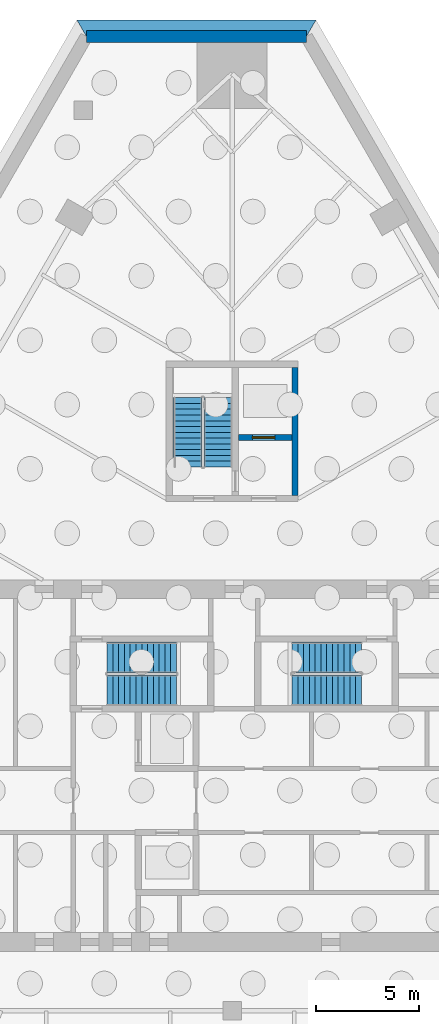
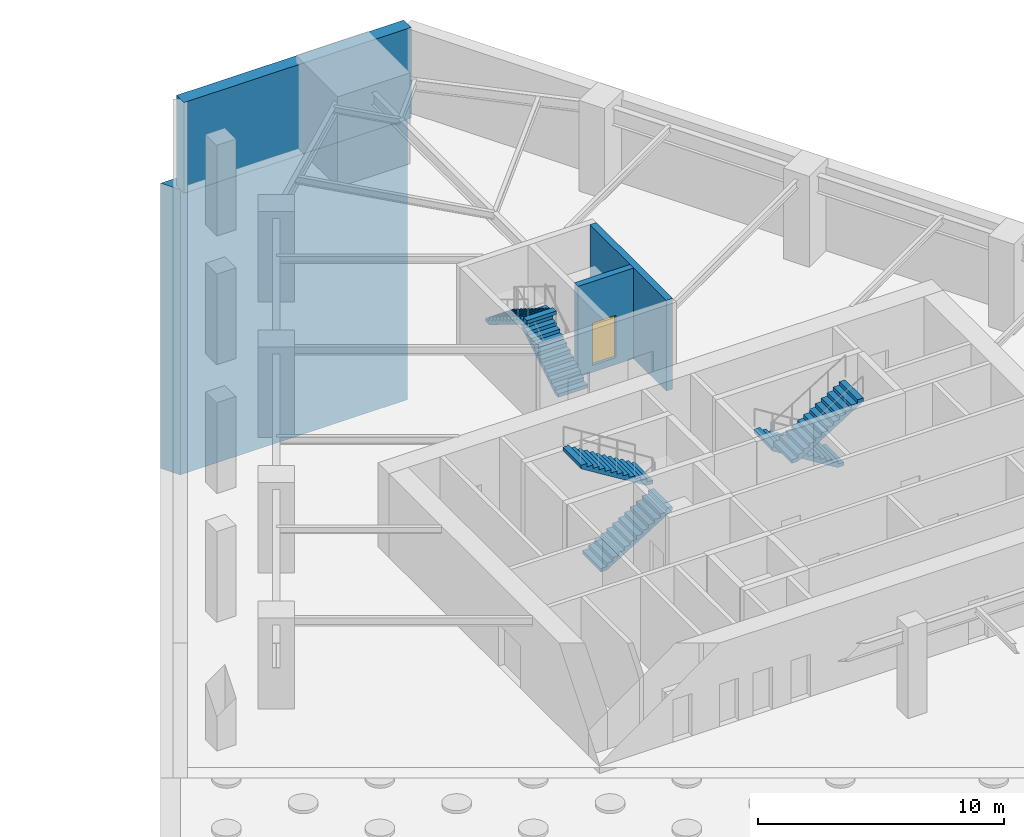
# One storey, part 6 of 8: 6 stair flights, 4 walls, 1 door, 1 opening, 3 elements without a shape of their own.
"""IFC4 building model written with IfcOpenShell, lengths in metres."""

import ifcopenshell
import ifcopenshell.guid

model = None  # the IFC model being written
_history = None  # IfcOwnerHistory: only IFC2X3 demands one
_inside = {}  # id of a spatial element -> (the spatial element, [elements in it])
_under = {}  # id of a project, library or spatial element -> (it, [spatial elements below it])
_declared = {}  # id of a project -> (the project, [libraries it declares])
_typed = {}  # id of a type object -> (the type object, [elements of that type])
_made_of = {}  # id of a material, layer set ... -> (it, [elements and type objects made of it])


def new_model(schema):
    """Start an empty IFC model of exactly this schema.

    Asked for "IFC4X3", IfcOpenShell would pick the latest addendum, in which some entities
    have other attributes; the version numbers below select the first issue.
    IFC2X3 requires an IfcOwnerHistory on every rooted entity: one is made here for all.
    """
    global model, _history
    if schema == "IFC4X3":
        model = ifcopenshell.file(schema_version=(4, 3, 0, 0))
    else:
        model = ifcopenshell.file(schema=schema)
    _inside.clear()
    _under.clear()
    _declared.clear()
    _typed.clear()
    _made_of.clear()
    _history = None
    if model.schema == "IFC2X3":
        org = make("IfcOrganization", Name="unknown")
        user = make(
            "IfcPersonAndOrganization",
            ThePerson=make("IfcPerson", FamilyName="unknown"),
            TheOrganization=org,
        )
        app = make(
            "IfcApplication",
            ApplicationDeveloper=org,
            Version="unknown",
            ApplicationFullName="unknown",
            ApplicationIdentifier="unknown",
        )
        _history = make(
            "IfcOwnerHistory",
            OwningUser=user,
            OwningApplication=app,
            ChangeAction="ADDED",
            CreationDate=0,
        )
    return model


def make(cls, **values):
    """One entity of the class cls with the attributes given. An attribute that is None is left unset."""
    return model.create_entity(
        cls, **{name: value for name, value in values.items() if value is not None}
    )


def rooted(cls, **values):
    """An entity with a GlobalId (a new one), such as an element, a storey or a relation."""
    return make(cls, GlobalId=ifcopenshell.guid.new(), OwnerHistory=_history, **values)


def si_unit(unit_type, name, prefix=None):
    """IfcSIUnit, for example si_unit("LENGTHUNIT", "METRE", prefix="MILLI")."""
    return make("IfcSIUnit", UnitType=unit_type, Prefix=prefix, Name=name)


def assignment(units):
    """IfcUnitAssignment: the units of a project."""
    return None if units is None else make("IfcUnitAssignment", Units=units)


def point(xyz):
    """IfcCartesianPoint."""
    return None if xyz is None else make("IfcCartesianPoint", Coordinates=xyz)


def direction(xyz):
    """IfcDirection."""
    return None if xyz is None else make("IfcDirection", DirectionRatios=xyz)


def frame(location, z_axis=None, x_axis=None):
    """IfcAxis2Placement3D, a coordinate frame: its origin and axes. An axis left out is left unset."""
    return make(
        "IfcAxis2Placement3D",
        Location=point(location),
        Axis=direction(z_axis),
        RefDirection=direction(x_axis),
    )


def frame_2d(location, x_axis=None):
    """IfcAxis2Placement2D, a coordinate frame in the plane: its origin and x axis."""
    return make(
        "IfcAxis2Placement2D", Location=point(location), RefDirection=direction(x_axis)
    )


def origin():
    """The frame at (0, 0, 0) with its axes left unset."""
    return frame((0.0, 0.0, 0.0))


def place(relative_to, where):
    """IfcLocalPlacement: puts the frame where relative to a parent placement (None: the world)."""
    return make(
        "IfcLocalPlacement", PlacementRelTo=relative_to, RelativePlacement=where
    )


def context(
    kind, dimensions, precision=None, world=None, true_north=None, identifier=None
):
    """IfcGeometricRepresentationContext, for example the 3D "Model" context."""
    return make(
        "IfcGeometricRepresentationContext",
        ContextIdentifier=identifier,
        ContextType=kind,
        CoordinateSpaceDimension=dimensions,
        Precision=precision,
        WorldCoordinateSystem=world,
        TrueNorth=true_north,
    )


def subcontext(parent, identifier, kind, view, scale=None):
    """IfcGeometricRepresentationSubContext, for example "Body" below "Model"."""
    return make(
        "IfcGeometricRepresentationSubContext",
        ContextIdentifier=identifier,
        ContextType=kind,
        ParentContext=parent,
        TargetScale=scale,
        TargetView=view,
    )


def project(units=None, contexts=None):
    """IfcProject with its units and contexts."""
    return rooted(
        "IfcProject",
        Name="project",
        RepresentationContexts=contexts,
        UnitsInContext=assignment(units),
    )


def spatial(cls, under=None, at=None, **own):
    """A site, building, storey or space (cls), placed at a placement, below another one or the project."""
    s = rooted(cls, ObjectPlacement=at, **own)
    if under is not None:
        _under.setdefault(under.id(), (under, []))[1].append(s)
    return s


def polyline(points):
    """IfcPolyline through the points."""
    return make("IfcPolyline", Points=[point(p) for p in points])


def profile(cls, at=None, kind="AREA", **sizes):
    """A parametric profile (cls). Its sizes go by their IFC names, for example OverallWidth=200.0."""
    return make(cls, ProfileType=kind, Position=at, **sizes)


def rectangle(**sizes):
    """IfcRectangleProfileDef."""
    return profile("IfcRectangleProfileDef", **sizes)


def outline(outer, holes=None, kind="AREA"):
    """IfcArbitraryClosedProfileDef: a profile drawn as a closed curve; with holes, ...WithVoids."""
    if holes is None:
        return make("IfcArbitraryClosedProfileDef", ProfileType=kind, OuterCurve=outer)
    return make(
        "IfcArbitraryProfileDefWithVoids",
        ProfileType=kind,
        OuterCurve=outer,
        InnerCurves=holes,
    )


def extrude(swept, where, along, depth):
    """IfcExtrudedAreaSolid: the profile swept, set in the frame where, extruded along a direction by depth."""
    return make(
        "IfcExtrudedAreaSolid",
        SweptArea=swept,
        Position=where,
        ExtrudedDirection=direction(along),
        Depth=depth,
    )


def shape(context_of_items, identifier, shape_type, items):
    """IfcShapeRepresentation: the items that make up one representation, for example the "Body"."""
    return make(
        "IfcShapeRepresentation",
        ContextOfItems=context_of_items,
        RepresentationIdentifier=identifier,
        RepresentationType=shape_type,
        Items=items,
    )


def material(Name=None, Category=None):
    """IfcMaterial."""
    return make("IfcMaterial", Name=Name, Category=Category)


def layer(
    of_material, thickness, ventilated=None, Name=None, Category=None, Priority=None
):
    """IfcMaterialLayer: one layer of a wall or slab, of a material (None: an air gap)."""
    return make(
        "IfcMaterialLayer",
        Material=of_material,
        LayerThickness=thickness,
        IsVentilated=ventilated,
        Name=Name,
        Category=Category,
        Priority=Priority,
    )


def layer_set(layers, Name=None):
    """IfcMaterialLayerSet."""
    return make("IfcMaterialLayerSet", MaterialLayers=layers, LayerSetName=Name)


def made_of(thing, what):
    """Note that an element or type object is made of a material, layer set ...; save() writes the relation."""
    if what is not None:
        _made_of.setdefault(what.id(), (what, []))[1].append(thing)
    return thing


def type_object(cls, material=None, **own):
    """A type object (cls), such as IfcWallType, which elements share."""
    return made_of(rooted(cls, **own), material)


def element(
    cls,
    number,
    at=None,
    inside=None,
    cuts=None,
    type_object=None,
    material=None,
    context=None,
    identifier="Body",
    shape_type=None,
    held_by="IfcProductDefinitionShape",
    body=None,
    shapes=None,
    **own,
):
    """One element of the class cls, such as IfcWall. Its Tag is "e" and its number.

    at: its placement. inside: the storey or other place that contains it. cuts: it is an
    opening in that element (IfcRelVoidsElement). A single representation is given by context,
    identifier, shape_type and body (its items); several are given by shapes. held_by: the class
    of the entity that holds the representations. save() writes the other relations.
    """
    e = rooted(cls, Tag="e%d" % number, ObjectPlacement=at, **own)
    if body is not None:
        shapes = [shape(context, identifier, shape_type, body)]
    if shapes is not None:
        e.Representation = make(held_by, Representations=shapes)
    if inside is not None:
        _inside.setdefault(inside.id(), (inside, []))[1].append(e)
    if cuts is not None:
        rooted(
            "IfcRelVoidsElement", RelatingBuildingElement=cuts, RelatedOpeningElement=e
        )
    if type_object is not None:
        _typed.setdefault(type_object.id(), (type_object, []))[1].append(e)
    return made_of(e, material)


def fill(opening, filler):
    """IfcRelFillsElement: the door or window that sits in an opening."""
    return rooted(
        "IfcRelFillsElement",
        RelatingOpeningElement=opening,
        RelatedBuildingElement=filler,
    )


def aggregate(whole, parts):
    """IfcRelAggregates: a whole, such as a stair, and the parts it consists of."""
    return rooted("IfcRelAggregates", RelatingObject=whole, RelatedObjects=parts)


def save(model, path):
    """Write the relations noted so far, then the file.

    IfcRelAggregates (storeys below a building ...), IfcRelContainedInSpatialStructure (elements
    in a storey), IfcRelDefinesByType, IfcRelAssociatesMaterial and IfcRelDeclares: one each for
    every whole, place, type object, material and project.
    """
    for whole, parts in _under.values():
        aggregate(whole, parts)
    for where, things in _inside.values():
        rooted(
            "IfcRelContainedInSpatialStructure",
            RelatedElements=things,
            RelatingStructure=where,
        )
    for kind, things in _typed.values():
        rooted("IfcRelDefinesByType", RelatedObjects=things, RelatingType=kind)
    for what, things in _made_of.values():
        rooted("IfcRelAssociatesMaterial", RelatedObjects=things, RelatingMaterial=what)
    for by, libraries in _declared.values():
        rooted("IfcRelDeclares", RelatingContext=by, RelatedDefinitions=libraries)
    model.write(path)


model = new_model("IFC4")

# Units and contexts
model_context = context("Model", 3, precision=1e-05, world=origin(), true_north=direction((0.0, 1.0)))
body_context = subcontext(model_context, "Body", "Model", "MODEL_VIEW")
ifc_project = project(units=[si_unit("LENGTHUNIT", "METRE"), si_unit("AREAUNIT", "SQUARE_METRE"), si_unit("VOLUMEUNIT", "CUBIC_METRE"), si_unit("PLANEANGLEUNIT", "RADIAN"), si_unit("MASSUNIT", "GRAM", prefix="KILO")], contexts=[model_context])

# Site, building, storey
site_placement = place(None, origin())
site = spatial("IfcSite", under=ifc_project, at=site_placement, CompositionType="ELEMENT")
building_placement = place(site_placement, origin())
building = spatial("IfcBuilding", under=site, at=building_placement, Name="Firuza Gate Tower and Library", CompositionType="ELEMENT")
storey_placement = place(building_placement, frame((0.0, 0.0, -14.0)))
storey = spatial("IfcBuildingStorey", under=building, at=storey_placement, Name="B3", CompositionType="ELEMENT", Elevation=-14.0)

# Wall
ifc_material_1 = material(Name="Concrete C80/95", Category="concrete")
ifc_layer_1 = layer(ifc_material_1, 0.300048828125)
ifc_layer_set_1 = layer_set([ifc_layer_1], Name="Core wall 300 C80/95")
wall_type_1 = type_object("IfcWallType", Name="Core wall 300 C80/95", PredefinedType="SHEAR", material=ifc_layer_set_1)
wall_1_placement = place(storey_placement, frame((78.050048828125, 88.10009765625, -0.35009765625), z_axis=(0.0, 0.0, 1.0), x_axis=(0.0, 1.0, 0.0)))
element("IfcWall", 1, at=wall_1_placement, inside=storey, type_object=wall_type_1, Name="Core wall B3 23", PredefinedType="SHEAR", context=body_context, shape_type="SweptSolid", body=[
    extrude(rectangle(XDim=6.199951171875, YDim=0.300048828125, at=frame_2d((3.10009765625, 0.0))), origin(), (0.0, 0.0, 1.0), 4.5),
])

# Wall, opening, door
wall_2_placement = place(storey_placement, frame((75.300048828125, 90.89990234375, -0.35009765625), z_axis=(0.0, 0.0, 1.0), x_axis=(1.0, 0.0, 0.0)))
wall_2 = element("IfcWall", 2, at=wall_2_placement, inside=storey, type_object=wall_type_1, Name="Core wall B3 24", PredefinedType="SHEAR", context=body_context, shape_type="SweptSolid", body=[
    extrude(rectangle(XDim=2.599853515625, YDim=0.300048828125, at=frame_2d((1.2998046875, 0.0))), origin(), (0.0, 0.0, 1.0), 4.5),
])
opening_placement = place(wall_2_placement, frame((0.675048828125, 0.0, 0.35009765625)))
opening = element("IfcOpeningElement", 3, at=opening_placement, cuts=wall_2, Name="Opening LD-SV1-B3", PredefinedType="OPENING", context=body_context, shape_type="SweptSolid", body=[
    extrude(rectangle(XDim=1.10009765625, YDim=2.10009765625, at=frame_2d((0.550048828125, 1.050048828125))), frame((0.0, 0.16015625, 0.0), z_axis=(0.0, -1.0, 0.0), x_axis=(1.0, 0.0, 0.0)), (0.0, 0.0, 1.0), 0.320068359375),
])
ifc_material_2 = material(Name="Stainless steel", Category="steel")
door_type = type_object("IfcDoorType", Name="Lift landing door 1100x2100", OperationType="DOUBLE_DOOR_SLIDING", PredefinedType="DOOR", material=ifc_material_2)
door_placement = place(opening_placement, origin())
door = element("IfcDoor", 4, at=door_placement, inside=storey, type_object=door_type, Name="Landing door SV1 B3", OperationType="DOUBLE_DOOR_SLIDING", OverallHeight=2.10009765625, OverallWidth=1.10009765625, PredefinedType="DOOR", context=body_context, shape_type="SweptSolid", body=[
    extrude(rectangle(XDim=1.10009765625, YDim=2.10009765625, at=frame_2d((0.550048828125, 1.050048828125))), frame((0.0, 0.02490234375, 0.0), z_axis=(0.0, -1.0, 0.0), x_axis=(1.0, 0.0, 0.0)), (0.0, 0.0, 1.0), 0.050048828125),
])
fill(opening, door)

# Walls
ifc_material_3 = material(Name="Concrete C40/50", Category="concrete")
ifc_layer_2 = layer(ifc_material_3, 0.800048828125)
ifc_layer_set_2 = layer_set([ifc_layer_2], Name="Diaphragm wall 800 C40/50")
wall_type_2 = type_object("IfcWallType", Name="Diaphragm wall 800 C40/50", PredefinedType="SOLIDWALL", material=ifc_layer_set_2)
wall_3_placement = place(storey_placement, frame((0.0, 0.0, -14.5)))
element("IfcWall", 5, at=wall_3_placement, inside=storey, type_object=wall_type_2, Name="Diaphragm wall 4", PredefinedType="SOLIDWALL", context=body_context, shape_type="SweptSolid", body=[
    extrude(outline(polyline([(78.60009765625, 110.333740234375), (67.935791015625, 110.333740234375), (67.47412109375, 111.1337890625), (79.061767578125, 111.1337890625), (78.60009765625, 110.333740234375)])), origin(), (0.0, 0.0, 1.0), 14.14990234375),
])
ifc_material_4 = material(Name="Concrete C40/50", Category="concrete")
ifc_layer_3 = layer(ifc_material_4, 0.60009765625)
ifc_layer_set_3 = layer_set([ifc_layer_3], Name="Retaining wall 600 C40/50")
wall_type_3 = type_object("IfcWallType", Name="Retaining wall 600 C40/50", PredefinedType="SOLIDWALL", material=ifc_layer_set_3)
wall_4_placement = place(storey_placement, frame((78.60009765625, 110.333740234375, -0.35009765625), z_axis=(0.0, 0.0, 1.0), x_axis=(-1.0, 0.0, 0.0)))
element("IfcWall", 6, at=wall_4_placement, inside=storey, type_object=wall_type_3, Name="Retaining wall B3 4", PredefinedType="SOLIDWALL", context=body_context, shape_type="SweptSolid", body=[
    extrude(rectangle(XDim=10.664306640625, YDim=0.60009765625, at=frame_2d((5.33203125, 0.0))), origin(), (0.0, 0.0, 1.0), 4.5),
])

# Stair, stair flights
ifc_material_5 = material(Name="Concrete C35/45", Category="concrete")
stair_type_1 = type_object("IfcStairType", Name="Exit stair ST10", PredefinedType="HALF_TURN_STAIR", material=ifc_material_5)
placement = place(storey_placement, origin())
stair_1 = element("IfcStair", 7, at=placement, inside=storey, type_object=stair_type_1, Name="B3 Stair ST3", PredefinedType="HALF_TURN_STAIR")
ifc_material_6 = material(Name="Concrete C35/45", Category="concrete")
stair_flight_type_1 = type_object("IfcStairFlightType", Name="Stair flight 13 risers 173.1 width 1370", PredefinedType="STRAIGHT", material=ifc_material_6)
stair_flight_1_placement = place(storey_placement, frame((74.31494140625, 89.469970703125, 0.0), z_axis=(0.0, 0.0, 1.0), x_axis=(0.0, 1.0, 0.0)))
stair_flight_1 = element("IfcStairFlight", 8, at=stair_flight_1_placement, type_object=stair_flight_type_1, Name="ST3 flight 1", NumberOfRisers=13, NumberOfTreads=12, PredefinedType="STRAIGHT", RiserHeight=0.173076923, TreadLength=0.28, context=body_context, shape_type="SweptSolid", body=[
    extrude(outline(polyline([(0.0, 0.0), (0.0, 0.173095703125), (0.280029296875, 0.173095703125), (0.280029296875, 0.34619140625), (0.56005859375, 0.34619140625), (0.56005859375, 0.519287109375), (0.840087890625, 0.519287109375), (0.840087890625, 0.6923828125), (1.1201171875, 0.6923828125), (1.1201171875, 0.865478515625), (1.39990234375, 0.865478515625), (1.39990234375, 1.03857421875), (1.679931640625, 1.03857421875), (1.679931640625, 1.21142578125), (1.9599609375, 1.21142578125), (1.9599609375, 1.384521484375), (2.239990234375, 1.384521484375), (2.239990234375, 1.5576171875), (2.52001953125, 1.5576171875), (2.52001953125, 1.730712890625), (2.800048828125, 1.730712890625), (2.800048828125, 1.90380859375), (3.080078125, 1.90380859375), (3.080078125, 2.076904296875), (3.360107421875, 2.076904296875), (3.360107421875, 2.25), (3.360107421875, 1.900634765625), (0.28515625, 0.0), (0.0, 0.0)])), frame((0.0, 0.68505859375, 0.0), z_axis=(0.0, -1.0, 0.0), x_axis=(1.0, 0.0, 0.0)), (0.0, 0.0, 1.0), 1.3701171875),
])
stair_flight_2_placement = place(storey_placement, frame((72.844970703125, 92.830078125, 2.25), z_axis=(0.0, 0.0, 1.0), x_axis=(0.0, -1.0, 0.0)))
stair_flight_2 = element("IfcStairFlight", 9, at=stair_flight_2_placement, type_object=stair_flight_type_1, Name="ST3 flight 2", NumberOfRisers=13, NumberOfTreads=12, PredefinedType="STRAIGHT", RiserHeight=0.173076923, TreadLength=0.28, context=body_context, shape_type="SweptSolid", body=[
    extrude(outline(polyline([(0.0, 0.0), (0.0, 0.173095703125), (0.280029296875, 0.173095703125), (0.280029296875, 0.34619140625), (0.56005859375, 0.34619140625), (0.56005859375, 0.519287109375), (0.840087890625, 0.519287109375), (0.840087890625, 0.6923828125), (1.1201171875, 0.6923828125), (1.1201171875, 0.865478515625), (1.39990234375, 0.865478515625), (1.39990234375, 1.03857421875), (1.679931640625, 1.03857421875), (1.679931640625, 1.21142578125), (1.9599609375, 1.21142578125), (1.9599609375, 1.384521484375), (2.239990234375, 1.384521484375), (2.239990234375, 1.5576171875), (2.52001953125, 1.5576171875), (2.52001953125, 1.730712890625), (2.800048828125, 1.730712890625), (2.800048828125, 1.90380859375), (3.080078125, 1.90380859375), (3.080078125, 2.076904296875), (3.360107421875, 2.076904296875), (3.360107421875, 2.25), (3.360107421875, 1.900634765625), (0.28515625, 0.0), (0.0, 0.0)])), frame((0.0, 0.68505859375, 0.0), z_axis=(0.0, -1.0, 0.0), x_axis=(1.0, 0.0, 0.0)), (0.0, 0.0, 1.0), 1.3701171875),
])
aggregate(stair_1, [stair_flight_1, stair_flight_2])

ifc_material_7 = material(Name="Concrete C35/45", Category="concrete")
stair_type_2 = type_object("IfcStairType", Name="Exit stair ST1", PredefinedType="HALF_TURN_STAIR", material=ifc_material_7)
stair_2 = element("IfcStair", 10, at=placement, inside=storey, type_object=stair_type_2, Name="B3 Stair ST1", PredefinedType="HALF_TURN_STAIR")
ifc_material_8 = material(Name="Concrete C35/45", Category="concrete")
stair_flight_type_2 = type_object("IfcStairFlightType", Name="Stair flight 13 risers 173.1 width 1490", PredefinedType="STRAIGHT", material=ifc_material_8)
stair_flight_3_placement = place(storey_placement, frame((68.93994140625, 78.64501953125, 0.0), z_axis=(0.0, 0.0, 1.0), x_axis=(1.0, 0.0, 0.0)))
stair_flight_3 = element("IfcStairFlight", 11, at=stair_flight_3_placement, type_object=stair_flight_type_2, Name="ST1 flight 1", NumberOfRisers=13, NumberOfTreads=12, PredefinedType="STRAIGHT", RiserHeight=0.173076923, TreadLength=0.28, context=body_context, shape_type="SweptSolid", body=[
    extrude(outline(polyline([(0.0, 0.0), (0.0, 0.173095703125), (0.280029296875, 0.173095703125), (0.280029296875, 0.34619140625), (0.56005859375, 0.34619140625), (0.56005859375, 0.519287109375), (0.840087890625, 0.519287109375), (0.840087890625, 0.6923828125), (1.1201171875, 0.6923828125), (1.1201171875, 0.865478515625), (1.39990234375, 0.865478515625), (1.39990234375, 1.03857421875), (1.679931640625, 1.03857421875), (1.679931640625, 1.21142578125), (1.9599609375, 1.21142578125), (1.9599609375, 1.384521484375), (2.239990234375, 1.384521484375), (2.239990234375, 1.5576171875), (2.52001953125, 1.5576171875), (2.52001953125, 1.730712890625), (2.800048828125, 1.730712890625), (2.800048828125, 1.90380859375), (3.080078125, 1.90380859375), (3.080078125, 2.076904296875), (3.360107421875, 2.076904296875), (3.360107421875, 2.25), (3.360107421875, 1.900634765625), (0.28515625, 0.0), (0.0, 0.0)])), frame((0.0, 0.7451171875, 0.0), z_axis=(0.0, -1.0, 0.0), x_axis=(1.0, 0.0, 0.0)), (0.0, 0.0, 1.0), 1.489990234375),
])
stair_flight_4_placement = place(storey_placement, frame((72.300048828125, 80.235107421875, 2.25), z_axis=(0.0, 0.0, 1.0), x_axis=(-1.0, 0.0, 0.0)))
stair_flight_4 = element("IfcStairFlight", 12, at=stair_flight_4_placement, type_object=stair_flight_type_2, Name="ST1 flight 2", NumberOfRisers=13, NumberOfTreads=12, PredefinedType="STRAIGHT", RiserHeight=0.173076923, TreadLength=0.28, context=body_context, shape_type="SweptSolid", body=[
    extrude(outline(polyline([(0.0, 0.0), (0.0, 0.173095703125), (0.280029296875, 0.173095703125), (0.280029296875, 0.34619140625), (0.56005859375, 0.34619140625), (0.56005859375, 0.519287109375), (0.840087890625, 0.519287109375), (0.840087890625, 0.6923828125), (1.1201171875, 0.6923828125), (1.1201171875, 0.865478515625), (1.39990234375, 0.865478515625), (1.39990234375, 1.03857421875), (1.679931640625, 1.03857421875), (1.679931640625, 1.21142578125), (1.9599609375, 1.21142578125), (1.9599609375, 1.384521484375), (2.239990234375, 1.384521484375), (2.239990234375, 1.5576171875), (2.52001953125, 1.5576171875), (2.52001953125, 1.730712890625), (2.800048828125, 1.730712890625), (2.800048828125, 1.90380859375), (3.080078125, 1.90380859375), (3.080078125, 2.076904296875), (3.360107421875, 2.076904296875), (3.360107421875, 2.25), (3.360107421875, 1.900634765625), (0.28515625, 0.0), (0.0, 0.0)])), frame((0.0, 0.7451171875, 0.0), z_axis=(0.0, -1.0, 0.0), x_axis=(1.0, 0.0, 0.0)), (0.0, 0.0, 1.0), 1.489990234375),
])
aggregate(stair_2, [stair_flight_3, stair_flight_4])

stair_3 = element("IfcStair", 13, at=placement, inside=storey, type_object=stair_type_2, Name="B3 Stair ST2", PredefinedType="HALF_TURN_STAIR")
stair_flight_5_placement = place(storey_placement, frame((81.260009765625, 80.235107421875, 0.0), z_axis=(0.0, 0.0, 1.0), x_axis=(-1.0, 0.0, 0.0)))
stair_flight_5 = element("IfcStairFlight", 14, at=stair_flight_5_placement, type_object=stair_flight_type_2, Name="ST2 flight 1", NumberOfRisers=13, NumberOfTreads=12, PredefinedType="STRAIGHT", RiserHeight=0.173076923, TreadLength=0.28, context=body_context, shape_type="SweptSolid", body=[
    extrude(outline(polyline([(0.0, 0.0), (0.0, 0.173095703125), (0.280029296875, 0.173095703125), (0.280029296875, 0.34619140625), (0.56005859375, 0.34619140625), (0.56005859375, 0.519287109375), (0.840087890625, 0.519287109375), (0.840087890625, 0.6923828125), (1.1201171875, 0.6923828125), (1.1201171875, 0.865478515625), (1.39990234375, 0.865478515625), (1.39990234375, 1.03857421875), (1.679931640625, 1.03857421875), (1.679931640625, 1.21142578125), (1.9599609375, 1.21142578125), (1.9599609375, 1.384521484375), (2.239990234375, 1.384521484375), (2.239990234375, 1.5576171875), (2.52001953125, 1.5576171875), (2.52001953125, 1.730712890625), (2.800048828125, 1.730712890625), (2.800048828125, 1.90380859375), (3.080078125, 1.90380859375), (3.080078125, 2.076904296875), (3.360107421875, 2.076904296875), (3.360107421875, 2.25), (3.360107421875, 1.900634765625), (0.28515625, 0.0), (0.0, 0.0)])), frame((0.0, 0.7451171875, 0.0), z_axis=(0.0, -1.0, 0.0), x_axis=(1.0, 0.0, 0.0)), (0.0, 0.0, 1.0), 1.489990234375),
])
stair_flight_6_placement = place(storey_placement, frame((77.89990234375, 78.64501953125, 2.25), z_axis=(0.0, 0.0, 1.0), x_axis=(1.0, 0.0, 0.0)))
stair_flight_6 = element("IfcStairFlight", 15, at=stair_flight_6_placement, type_object=stair_flight_type_2, Name="ST2 flight 2", NumberOfRisers=13, NumberOfTreads=12, PredefinedType="STRAIGHT", RiserHeight=0.173076923, TreadLength=0.28, context=body_context, shape_type="SweptSolid", body=[
    extrude(outline(polyline([(0.0, 0.0), (0.0, 0.173095703125), (0.280029296875, 0.173095703125), (0.280029296875, 0.34619140625), (0.56005859375, 0.34619140625), (0.56005859375, 0.519287109375), (0.840087890625, 0.519287109375), (0.840087890625, 0.6923828125), (1.1201171875, 0.6923828125), (1.1201171875, 0.865478515625), (1.39990234375, 0.865478515625), (1.39990234375, 1.03857421875), (1.679931640625, 1.03857421875), (1.679931640625, 1.21142578125), (1.9599609375, 1.21142578125), (1.9599609375, 1.384521484375), (2.239990234375, 1.384521484375), (2.239990234375, 1.5576171875), (2.52001953125, 1.5576171875), (2.52001953125, 1.730712890625), (2.800048828125, 1.730712890625), (2.800048828125, 1.90380859375), (3.080078125, 1.90380859375), (3.080078125, 2.076904296875), (3.360107421875, 2.076904296875), (3.360107421875, 2.25), (3.360107421875, 1.900634765625), (0.28515625, 0.0), (0.0, 0.0)])), frame((0.0, 0.7451171875, 0.0), z_axis=(0.0, -1.0, 0.0), x_axis=(1.0, 0.0, 0.0)), (0.0, 0.0, 1.0), 1.489990234375),
])
aggregate(stair_3, [stair_flight_5, stair_flight_6])

save(model, "model.ifc")
